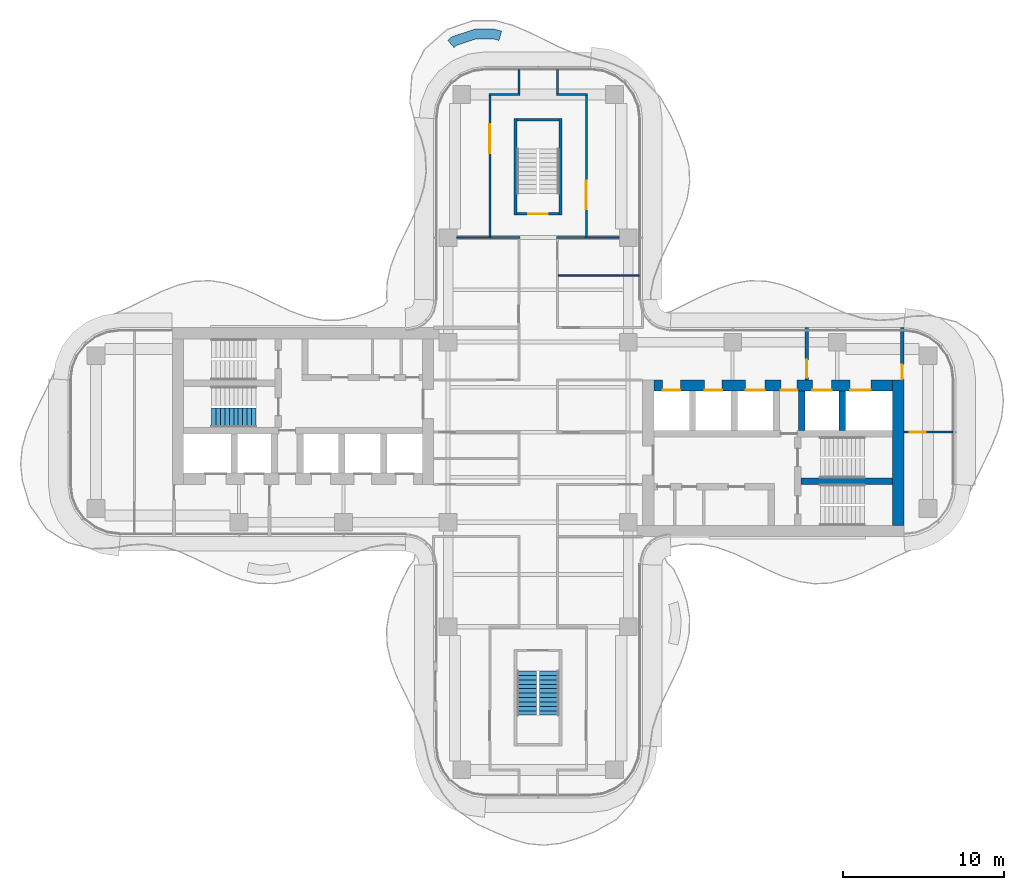
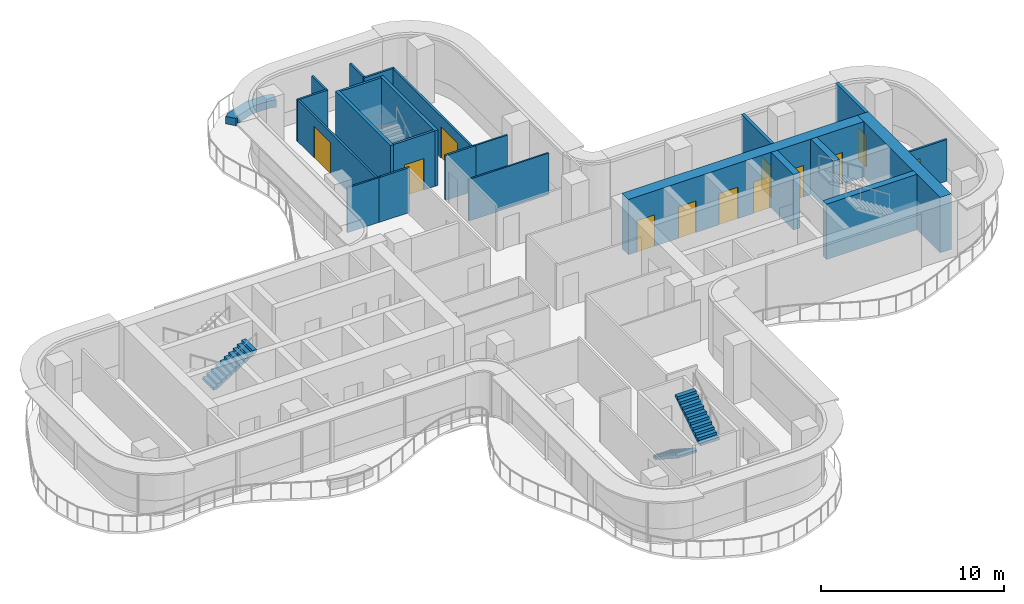
# One storey, part 13 of 16: 24 walls, 12 doors, 3 stair flights, 12 openings, 2 elements without a shape of their own.
"""IFC4 building model written with IfcOpenShell, lengths in metres."""

from ifc_helpers import new_model, si_unit, direction, frame, frame_2d, origin, place, context, subcontext, project, spatial, polyline, rectangle, outline, extrude, source, transform, mapped, material, layer, layer_set, type_object, element, fill, aggregate, save


model = new_model("IFC4")

# Units and contexts
model_context = context("Model", 3, precision=1e-05, world=origin(), true_north=direction((0.0, 1.0)))
body_context = subcontext(model_context, "Body", "Model", "MODEL_VIEW")
ifc_project = project(units=[si_unit("LENGTHUNIT", "METRE"), si_unit("AREAUNIT", "SQUARE_METRE"), si_unit("VOLUMEUNIT", "CUBIC_METRE"), si_unit("PLANEANGLEUNIT", "RADIAN"), si_unit("MASSUNIT", "GRAM", prefix="KILO")], contexts=[model_context])

# Site, building, storey
site_placement = place(None, origin())
site = spatial("IfcSite", under=ifc_project, at=site_placement, CompositionType="ELEMENT")
building_placement = place(site_placement, origin())
building = spatial("IfcBuilding", under=site, at=building_placement, Name="Trellis Farm Tower", CompositionType="ELEMENT")
storey_placement = place(building_placement, frame((0.0, 0.0, 248.0)))
storey = spatial("IfcBuildingStorey", under=building, at=storey_placement, Name="L55", CompositionType="ELEMENT", Elevation=248.0)

# Walls
ifc_material_1 = material(Name="Sandstone faced masonry planter", Category="masonry")
ifc_layer_1 = layer(ifc_material_1, 0.60009765625)
ifc_layer_set_1 = layer_set([ifc_layer_1], Name="PLANTER BED 600")
wall_type_1 = type_object("IfcWallType", Name="PLANTER BED 600", PredefinedType="USERDEFINED", material=ifc_layer_set_1)
placement = place(storey_placement, origin())
element("IfcWall", 1, at=placement, inside=storey, type_object=wall_type_1, Name="PLANTER bed", ObjectType="PLANTER", PredefinedType="USERDEFINED", context=body_context, shape_type="SweptSolid", body=[
    extrude(outline(polyline([(-5.377197265625, 24.581298828125), (-3.939208984375, 25.066650390625), (-2.718505859375, 25.0595703125), (-2.2744140625, 24.939697265625), (-2.430908203125, 24.3603515625), (-2.7998046875, 24.4599609375), (-3.84228515625, 24.466064453125), (-5.073974609375, 24.050537109375), (-5.22900390625, 23.91650390625), (-5.62158203125, 24.3701171875), (-5.377197265625, 24.581298828125)])), origin(), (0.0, 0.0, 1.0), 0.5),
])
ifc_material_2 = material(Name="Concrete C60/75", Category="concrete")
ifc_layer_2 = layer(ifc_material_2, 0.699951171875)
ifc_layer_set_2 = layer_set([ifc_layer_2], Name="CORE OUTER WALL 700 CONCRETE C60/75")
wall_type_2 = type_object("IfcWallType", Name="CORE OUTER WALL 700 CONCRETE C60/75", PredefinedType="SHEAR", material=ifc_layer_set_2)
shared_shape_1 = source(origin(), body_context, "Body", "SweptSolid", [
    extrude(rectangle(XDim=9.050048828125, YDim=0.699951171875, at=frame_2d((4.52490234375, 0.0))), origin(), (0.0, 0.0, 1.0), 3.699951171875),
])
wall_2_placement = place(storey_placement, frame((22.39990234375, -5.800048828125, 0.0), z_axis=(0.0, 0.0, 1.0), x_axis=(0.0, 1.0, 0.0)))
element("IfcWall", 2, at=wall_2_placement, inside=storey, type_object=wall_type_2, Name="Core wall", PredefinedType="SHEAR", context=body_context, shape_type="MappedRepresentation", body=[
    mapped(shared_shape_1, transform((0.0, 0.0, 0.0))),
])
ifc_layer_3 = layer(ifc_material_2, 0.39990234375)
ifc_layer_set_3 = layer_set([ifc_layer_3], Name="CORE INNER WALL 400 CONCRETE C60/75")
wall_type_3 = type_object("IfcWallType", Name="CORE INNER WALL 400 CONCRETE C60/75", PredefinedType="SHEAR", material=ifc_layer_set_3)
shared_shape_2 = source(origin(), body_context, "Body", "SweptSolid", [
    extrude(rectangle(XDim=2.449951171875, YDim=0.39990234375, at=frame_2d((1.22509765625, 0.0))), origin(), (0.0, 0.0, 1.0), 3.699951171875),
])
for number, where, z_axis, x_axis, name in (
    (3, (16.39990234375, 0.10009765625, 0.0), (0.0, 0.0, 1.0), (0.0, 1.0, 0.0), "Core wall"),
    (4, (18.89990234375, 0.10009765625, 0.0), (0.0, 0.0, 1.0), (0.0, 1.0, 0.0), "Core wall"),
):
    element("IfcWall", number, at=place(storey_placement, frame(where, z_axis=z_axis, x_axis=x_axis)), inside=storey, type_object=wall_type_3, Name=name, PredefinedType="SHEAR", context=body_context, shape_type="MappedRepresentation", body=[
        mapped(shared_shape_2, transform((0.0, 0.0, 0.0))),
    ])

# Wall, opening, door
ifc_material_3 = material(Name="Masonry blockwork", Category="masonry")
ifc_layer_4 = layer(ifc_material_3, 0.199951171875)
ifc_layer_set_4 = layer_set([ifc_layer_4], Name="FIRE LOBBY PARTITION 200 BLOCKWORK")
wall_type_4 = type_object("IfcWallType", Name="FIRE LOBBY PARTITION 200 BLOCKWORK", PredefinedType="PARTITIONING", material=ifc_layer_set_4)
shared_shape_3 = source(origin(), body_context, "Body", "SweptSolid", [
    extrude(rectangle(XDim=3.25, YDim=0.199951171875, at=frame_2d((1.625, 0.0))), origin(), (0.0, 0.0, 1.0), 3.699951171875),
])
wall_3_placement = place(storey_placement, frame((16.699951171875, 3.25, 0.0), z_axis=(0.0, 0.0, 1.0), x_axis=(0.0, 1.0, 0.0)))
wall_3 = element("IfcWall", 5, at=wall_3_placement, inside=storey, type_object=wall_type_4, Name="Fire-fighting lobby partition", PredefinedType="PARTITIONING", context=body_context, shape_type="MappedRepresentation", body=[
    mapped(shared_shape_3, transform((0.0, 0.0, 0.0))),
])
shared_shape_4 = source(origin(), body_context, "Body", "SweptSolid", [
    extrude(rectangle(XDim=1.10009765625, YDim=2.10009765625, at=frame_2d((0.550048828125, 1.050048828125))), frame((0.0, 0.110107421875, 0.0), z_axis=(0.0, -1.0, 0.0), x_axis=(1.0, 0.0, 0.0)), (0.0, 0.0, 1.0), 0.22021484375),
])
opening_1_placement = place(wall_3_placement, frame((0.14990234375, 0.0, 0.0)))
opening_1 = element("IfcOpeningElement", 6, at=opening_1_placement, cuts=wall_3, Name="Opening DC7", PredefinedType="OPENING", context=body_context, shape_type="MappedRepresentation", body=[
    mapped(shared_shape_4, transform((0.0, 0.0, 0.0))),
])
ifc_material_4 = material(Name="Steel", Category="steel")
door_type_1 = type_object("IfcDoorType", Name="CORE FIRE DOOR 1100 X 2100", OperationType="NOTDEFINED", PredefinedType="DOOR", material=ifc_material_4)
shared_shape_5 = source(origin(), body_context, "Body", "SweptSolid", [
    extrude(rectangle(XDim=1.10009765625, YDim=2.10009765625, at=frame_2d((0.550048828125, 1.050048828125))), frame((0.0, 0.02490234375, 0.0), z_axis=(0.0, -1.0, 0.0), x_axis=(1.0, 0.0, 0.0)), (0.0, 0.0, 1.0), 0.050048828125),
])
door_1_placement = place(opening_1_placement, origin())
door_1 = element("IfcDoor", 7, at=door_1_placement, inside=storey, type_object=door_type_1, Name="Core door", OperationType="SINGLE_SWING_RIGHT", OverallHeight=2.10009765625, OverallWidth=1.10009765625, PredefinedType="DOOR", context=body_context, shape_type="MappedRepresentation", body=[
    mapped(shared_shape_5, transform((0.0, 0.0, 0.0))),
])
fill(opening_1, door_1)

wall_4_placement = place(storey_placement, frame((22.64990234375, 3.25, 0.0), z_axis=(0.0, 0.0, 1.0), x_axis=(0.0, 1.0, 0.0)))
wall_4 = element("IfcWall", 8, at=wall_4_placement, inside=storey, type_object=wall_type_4, Name="Fire-fighting lobby partition", PredefinedType="PARTITIONING", context=body_context, shape_type="MappedRepresentation", body=[
    mapped(shared_shape_3, transform((0.0, 0.0, 0.0))),
])
shared_shape_6 = source(origin(), body_context, "Body", "SweptSolid", [
    extrude(rectangle(XDim=0.89990234375, YDim=2.10009765625, at=frame_2d((0.449951171875, 1.050048828125))), frame((0.0, 0.110107421875, 0.0), z_axis=(0.0, -1.0, 0.0), x_axis=(1.0, 0.0, 0.0)), (0.0, 0.0, 1.0), 0.22021484375),
])
opening_2_placement = place(wall_4_placement, frame((0.050048828125, 0.0, 0.0)))
opening_2 = element("IfcOpeningElement", 9, at=opening_2_placement, cuts=wall_4, Name="Opening DC8", PredefinedType="OPENING", context=body_context, shape_type="MappedRepresentation", body=[
    mapped(shared_shape_6, transform((0.0, 0.0, 0.0))),
])
door_type_2 = type_object("IfcDoorType", Name="CORE FIRE DOOR 900 X 2100", OperationType="NOTDEFINED", PredefinedType="DOOR", material=ifc_material_4)
shared_shape_7 = source(origin(), body_context, "Body", "SweptSolid", [
    extrude(rectangle(XDim=0.89990234375, YDim=2.10009765625, at=frame_2d((0.449951171875, 1.050048828125))), frame((0.0, 0.02490234375, 0.0), z_axis=(0.0, -1.0, 0.0), x_axis=(1.0, 0.0, 0.0)), (0.0, 0.0, 1.0), 0.050048828125),
])
door_2_placement = place(opening_2_placement, origin())
door_2 = element("IfcDoor", 10, at=door_2_placement, inside=storey, type_object=door_type_2, Name="Core door", OperationType="SINGLE_SWING_RIGHT", OverallHeight=2.10009765625, OverallWidth=0.89990234375, PredefinedType="DOOR", context=body_context, shape_type="MappedRepresentation", body=[
    mapped(shared_shape_7, transform((0.0, 0.0, 0.0))),
])
fill(opening_2, door_2)

# Wall, openings, doors
shared_shape_8 = source(origin(), body_context, "Body", "SweptSolid", [
    extrude(rectangle(XDim=14.85009765625, YDim=0.699951171875, at=frame_2d((7.425048828125, 0.0))), origin(), (0.0, 0.0, 1.0), 3.699951171875),
])
wall_5_placement = place(storey_placement, frame((7.199951171875, 2.89990234375, 0.0), z_axis=(0.0, 0.0, 1.0), x_axis=(1.0, 0.0, 0.0)))
wall_5 = element("IfcWall", 11, at=wall_5_placement, inside=storey, type_object=wall_type_2, Name="Core wall", PredefinedType="SHEAR", context=body_context, shape_type="MappedRepresentation", body=[
    mapped(shared_shape_8, transform((0.0, 0.0, 0.0))),
])
shared_shape_9 = source(origin(), body_context, "Body", "SweptSolid", [
    extrude(rectangle(XDim=1.10009765625, YDim=2.10009765625, at=frame_2d((0.550048828125, 1.050048828125))), frame((0.0, 0.360107421875, 0.0), z_axis=(0.0, -1.0, 0.0), x_axis=(1.0, 0.0, 0.0)), (0.0, 0.0, 1.0), 0.72021484375),
])
opening_3_placement = place(wall_5_placement, frame((0.550048828125, 0.0, 0.0)))
opening_3 = element("IfcOpeningElement", 12, at=opening_3_placement, cuts=wall_5, Name="Opening LD4", PredefinedType="OPENING", context=body_context, shape_type="MappedRepresentation", body=[
    mapped(shared_shape_9, transform((0.0, 0.0, 0.0))),
])
opening_4_placement = place(wall_5_placement, frame((3.14990234375, 0.0, 0.0)))
opening_4 = element("IfcOpeningElement", 13, at=opening_4_placement, cuts=wall_5, Name="Opening LD5", PredefinedType="OPENING", context=body_context, shape_type="MappedRepresentation", body=[
    mapped(shared_shape_9, transform((0.0, 0.0, 0.0))),
])
shared_shape_10 = source(origin(), body_context, "Body", "SweptSolid", [
    extrude(rectangle(XDim=1.199951171875, YDim=2.10009765625, at=frame_2d((0.60009765625, 1.050048828125))), frame((0.0, 0.360107421875, 0.0), z_axis=(0.0, -1.0, 0.0), x_axis=(1.0, 0.0, 0.0)), (0.0, 0.0, 1.0), 0.72021484375),
])
opening_5_placement = place(wall_5_placement, frame((5.699951171875, 0.0, 0.0)))
opening_5 = element("IfcOpeningElement", 14, at=opening_5_placement, cuts=wall_5, Name="Opening LD6", PredefinedType="OPENING", context=body_context, shape_type="MappedRepresentation", body=[
    mapped(shared_shape_10, transform((0.0, 0.0, 0.0))),
])
shared_shape_11 = source(origin(), body_context, "Body", "SweptSolid", [
    extrude(rectangle(XDim=1.300048828125, YDim=2.10009765625, at=frame_2d((0.64990234375, 1.050048828125))), frame((0.0, 0.360107421875, 0.0), z_axis=(0.0, -1.0, 0.0), x_axis=(1.0, 0.0, 0.0)), (0.0, 0.0, 1.0), 0.72021484375),
])
opening_6_placement = place(wall_5_placement, frame((12.199951171875, 0.0, 0.0)))
opening_6 = element("IfcOpeningElement", 15, at=opening_6_placement, cuts=wall_5, Name="Opening LD7", PredefinedType="OPENING", context=body_context, shape_type="MappedRepresentation", body=[
    mapped(shared_shape_11, transform((0.0, 0.0, 0.0))),
])
opening_7_placement = place(wall_5_placement, frame((9.85009765625, 0.0, 0.0)))
opening_7 = element("IfcOpeningElement", 16, at=opening_7_placement, cuts=wall_5, Name="Opening LD8", PredefinedType="OPENING", context=body_context, shape_type="MappedRepresentation", body=[
    mapped(shared_shape_10, transform((0.0, 0.0, 0.0))),
])
shared_shape_12 = source(origin(), body_context, "Body", "SweptSolid", [
    extrude(rectangle(XDim=1.0, YDim=2.10009765625, at=frame_2d((0.5, 1.050048828125))), frame((0.0, 0.360107421875, 0.0), z_axis=(0.0, -1.0, 0.0), x_axis=(1.0, 0.0, 0.0)), (0.0, 0.0, 1.0), 0.72021484375),
])
opening_8_placement = place(wall_5_placement, frame((7.89990234375, 0.0, 0.0)))
opening_8 = element("IfcOpeningElement", 17, at=opening_8_placement, cuts=wall_5, Name="Opening DC6", PredefinedType="OPENING", context=body_context, shape_type="MappedRepresentation", body=[
    mapped(shared_shape_12, transform((0.0, 0.0, 0.0))),
])
door_type_3 = type_object("IfcDoorType", Name="CORE FIRE DOOR 1000 X 2100", OperationType="NOTDEFINED", PredefinedType="DOOR", material=ifc_material_4)
shared_shape_13 = source(origin(), body_context, "Body", "SweptSolid", [
    extrude(rectangle(XDim=1.0, YDim=2.10009765625, at=frame_2d((0.5, 1.050048828125))), frame((0.0, -0.27490234375, 0.0), z_axis=(0.0, -1.0, 0.0), x_axis=(1.0, 0.0, 0.0)), (0.0, 0.0, 1.0), 0.050048828125),
])
door_3_placement = place(opening_8_placement, origin())
door_3 = element("IfcDoor", 18, at=door_3_placement, inside=storey, type_object=door_type_3, Name="Core door", OperationType="SINGLE_SWING_LEFT", OverallHeight=2.10009765625, OverallWidth=1.0, PredefinedType="DOOR", context=body_context, shape_type="MappedRepresentation", body=[
    mapped(shared_shape_13, transform((0.0, 0.0, 0.0))),
])
fill(opening_8, door_3)
ifc_material_5 = material(Name="Stainless steel", Category="steel")
door_type_4 = type_object("IfcDoorType", Name="LIFT LANDING DOOR 1300 X 2100", OperationType="DOUBLE_DOOR_SLIDING", PredefinedType="DOOR", material=ifc_material_5)
shared_shape_14 = source(origin(), body_context, "Body", "SweptSolid", [
    extrude(rectangle(XDim=1.300048828125, YDim=2.10009765625, at=frame_2d((0.64990234375, 1.050048828125))), frame((0.0, -0.27490234375, 0.0), z_axis=(0.0, -1.0, 0.0), x_axis=(1.0, 0.0, 0.0)), (0.0, 0.0, 1.0), 0.050048828125),
])
door_4_placement = place(opening_6_placement, origin())
door_4 = element("IfcDoor", 19, at=door_4_placement, inside=storey, type_object=door_type_4, Name="Lift landing door", OperationType="DOUBLE_DOOR_SLIDING", OverallHeight=2.10009765625, OverallWidth=1.300048828125, PredefinedType="DOOR", context=body_context, shape_type="MappedRepresentation", body=[
    mapped(shared_shape_14, transform((0.0, 0.0, 0.0))),
])
fill(opening_6, door_4)
door_type_5 = type_object("IfcDoorType", Name="LIFT LANDING DOOR 1200 X 2100", OperationType="DOUBLE_DOOR_SLIDING", PredefinedType="DOOR", material=ifc_material_5)
shared_shape_15 = source(origin(), body_context, "Body", "SweptSolid", [
    extrude(rectangle(XDim=1.199951171875, YDim=2.10009765625, at=frame_2d((0.60009765625, 1.050048828125))), frame((0.0, -0.27490234375, 0.0), z_axis=(0.0, -1.0, 0.0), x_axis=(1.0, 0.0, 0.0)), (0.0, 0.0, 1.0), 0.050048828125),
])
door_5_placement = place(opening_5_placement, origin())
door_5 = element("IfcDoor", 20, at=door_5_placement, inside=storey, type_object=door_type_5, Name="Lift landing door", OperationType="DOUBLE_DOOR_SLIDING", OverallHeight=2.10009765625, OverallWidth=1.199951171875, PredefinedType="DOOR", context=body_context, shape_type="MappedRepresentation", body=[
    mapped(shared_shape_15, transform((0.0, 0.0, 0.0))),
])
fill(opening_5, door_5)
door_6_placement = place(opening_7_placement, origin())
door_6 = element("IfcDoor", 21, at=door_6_placement, inside=storey, type_object=door_type_5, Name="Lift landing door", OperationType="DOUBLE_DOOR_SLIDING", OverallHeight=2.10009765625, OverallWidth=1.199951171875, PredefinedType="DOOR", context=body_context, shape_type="MappedRepresentation", body=[
    mapped(shared_shape_15, transform((0.0, 0.0, 0.0))),
])
fill(opening_7, door_6)
door_type_6 = type_object("IfcDoorType", Name="LIFT LANDING DOOR 1100 X 2100", OperationType="DOUBLE_DOOR_SLIDING", PredefinedType="DOOR", material=ifc_material_5)
shared_shape_16 = source(origin(), body_context, "Body", "SweptSolid", [
    extrude(rectangle(XDim=1.10009765625, YDim=2.10009765625, at=frame_2d((0.550048828125, 1.050048828125))), frame((0.0, -0.27490234375, 0.0), z_axis=(0.0, -1.0, 0.0), x_axis=(1.0, 0.0, 0.0)), (0.0, 0.0, 1.0), 0.050048828125),
])
door_7_placement = place(opening_3_placement, origin())
door_7 = element("IfcDoor", 22, at=door_7_placement, inside=storey, type_object=door_type_6, Name="Lift landing door", OperationType="DOUBLE_DOOR_SLIDING", OverallHeight=2.10009765625, OverallWidth=1.10009765625, PredefinedType="DOOR", context=body_context, shape_type="MappedRepresentation", body=[
    mapped(shared_shape_16, transform((0.0, 0.0, 0.0))),
])
fill(opening_3, door_7)
door_8_placement = place(opening_4_placement, origin())
door_8 = element("IfcDoor", 23, at=door_8_placement, inside=storey, type_object=door_type_6, Name="Lift landing door", OperationType="DOUBLE_DOOR_SLIDING", OverallHeight=2.10009765625, OverallWidth=1.10009765625, PredefinedType="DOOR", context=body_context, shape_type="MappedRepresentation", body=[
    mapped(shared_shape_16, transform((0.0, 0.0, 0.0))),
])
fill(opening_4, door_8)

# Walls
shared_shape_17 = source(origin(), body_context, "Body", "SweptSolid", [
    extrude(rectangle(XDim=5.699951171875, YDim=0.39990234375, at=frame_2d((2.85009765625, 0.0))), origin(), (0.0, 0.0, 1.0), 3.699951171875),
])
wall_6_placement = place(storey_placement, frame((16.35009765625, -3.050048828125, 0.0), z_axis=(0.0, 0.0, 1.0), x_axis=(1.0, 0.0, 0.0)))
element("IfcWall", 24, at=wall_6_placement, inside=storey, type_object=wall_type_3, Name="Core wall", PredefinedType="SHEAR", context=body_context, shape_type="MappedRepresentation", body=[
    mapped(shared_shape_17, transform((0.0, 0.0, 0.0))),
])
ifc_layer_5 = layer(ifc_material_2, 0.199951171875)
ifc_layer_set_5 = layer_set([ifc_layer_5], Name="CORE STAIR ENCLOSURE WALL 200 CONCRETE C60/75")
wall_type_5 = type_object("IfcWallType", Name="CORE STAIR ENCLOSURE WALL 200 CONCRETE C60/75", PredefinedType="SHEAR", material=ifc_layer_set_5)
shared_shape_18 = source(origin(), body_context, "Body", "SweptSolid", [
    extrude(rectangle(XDim=6.0, YDim=0.199951171875, at=frame_2d((3.0, 0.0))), origin(), (0.0, 0.0, 1.0), 3.699951171875),
])
for number, where, z_axis, x_axis, name in (
    (25, (-1.39990234375, 13.5, 0.0), (0.0, 0.0, 1.0), (0.0, 1.0, 0.0), "Stair enclosure wall"),
    (26, (1.39990234375, 13.5, 0.0), (0.0, 0.0, 1.0), (0.0, 1.0, 0.0), "Stair enclosure wall"),
):
    element("IfcWall", number, at=place(storey_placement, frame(where, z_axis=z_axis, x_axis=x_axis)), inside=storey, type_object=wall_type_5, Name=name, PredefinedType="SHEAR", context=body_context, shape_type="MappedRepresentation", body=[
        mapped(shared_shape_18, transform((0.0, 0.0, 0.0))),
    ])

# Wall, opening, door
ifc_layer_6 = layer(ifc_material_2, 0.14990234375)
ifc_layer_set_6 = layer_set([ifc_layer_6], Name="CORE STAIR ENCLOSURE WALL 150 CONCRETE C60/75")
wall_type_6 = type_object("IfcWallType", Name="CORE STAIR ENCLOSURE WALL 150 CONCRETE C60/75", PredefinedType="SHEAR", material=ifc_layer_set_6)
shared_shape_19 = source(origin(), body_context, "Body", "SweptSolid", [
    extrude(rectangle(XDim=2.60009765625, YDim=0.14990234375, at=frame_2d((1.300048828125, 0.0))), origin(), (0.0, 0.0, 1.0), 3.699951171875),
])
wall_7_placement = place(storey_placement, frame((-1.300048828125, 13.574951171875, 0.0), z_axis=(0.0, 0.0, 1.0), x_axis=(1.0, 0.0, 0.0)))
wall_7 = element("IfcWall", 27, at=wall_7_placement, inside=storey, type_object=wall_type_6, Name="Stair enclosure wall", PredefinedType="SHEAR", context=body_context, shape_type="MappedRepresentation", body=[
    mapped(shared_shape_19, transform((0.0, 0.0, 0.0))),
])
shared_shape_20 = source(origin(), body_context, "Body", "SweptSolid", [
    extrude(rectangle(XDim=1.199951171875, YDim=2.10009765625, at=frame_2d((0.60009765625, 1.050048828125))), frame((0.0, 0.0849609375, 0.0), z_axis=(0.0, -1.0, 0.0), x_axis=(1.0, 0.0, 0.0)), (0.0, 0.0, 1.0), 0.169921875),
])
opening_9_placement = place(wall_7_placement, frame((0.699951171875, 0.0, 0.0)))
opening_9 = element("IfcOpeningElement", 28, at=opening_9_placement, cuts=wall_7, Name="Opening DC173", PredefinedType="OPENING", context=body_context, shape_type="MappedRepresentation", body=[
    mapped(shared_shape_20, transform((0.0, 0.0, 0.0))),
])
door_type_7 = type_object("IfcDoorType", Name="CORE FIRE DOOR 1200 X 2100", OperationType="NOTDEFINED", PredefinedType="DOOR", material=ifc_material_4)
shared_shape_21 = source(origin(), body_context, "Body", "SweptSolid", [
    extrude(rectangle(XDim=1.199951171875, YDim=2.10009765625, at=frame_2d((0.60009765625, 1.050048828125))), frame((0.0, 0.02490234375, 0.0), z_axis=(0.0, -1.0, 0.0), x_axis=(1.0, 0.0, 0.0)), (0.0, 0.0, 1.0), 0.050048828125),
])
door_9_placement = place(opening_9_placement, origin())
door_9 = element("IfcDoor", 29, at=door_9_placement, inside=storey, type_object=door_type_7, Name="Core door", OperationType="SINGLE_SWING_LEFT", OverallHeight=2.10009765625, OverallWidth=1.199951171875, PredefinedType="DOOR", context=body_context, shape_type="MappedRepresentation", body=[
    mapped(shared_shape_21, transform((0.0, 0.0, 0.0))),
])
fill(opening_9, door_9)

# Walls
wall_8_placement = place(storey_placement, frame((-1.300048828125, 19.425048828125, 0.0), z_axis=(0.0, 0.0, 1.0), x_axis=(1.0, 0.0, 0.0)))
element("IfcWall", 30, at=wall_8_placement, inside=storey, type_object=wall_type_6, Name="Stair enclosure wall", PredefinedType="SHEAR", context=body_context, shape_type="MappedRepresentation", body=[
    mapped(shared_shape_19, transform((0.0, 0.0, 0.0))),
])
ifc_material_6 = material(Name="Plasterboard on steel studs, mineral wool", Category="steel")
ifc_layer_7 = layer(ifc_material_6, 0.125)
ifc_layer_set_7 = layer_set([ifc_layer_7], Name="PARTITION 125 STUD EI 60")
wall_type_7 = type_object("IfcWallType", Name="PARTITION 125 STUD EI 60", PredefinedType="PARTITIONING", material=ifc_layer_set_7)
shared_shape_22 = source(origin(), body_context, "Body", "SweptSolid", [
    extrude(rectangle(XDim=1.925048828125, YDim=0.125, at=frame_2d((0.96240234375, 0.0))), origin(), (0.0, 0.0, 1.0), 2.99658203125),
])
for number, where, z_axis, x_axis, name in (
    (31, (-1.137451171875, 12.10009765625, 0.0), (0.0, 0.0, 1.0), (-1.0, 0.0, 0.0), "Partition PW1"),
    (32, (3.0625, 12.10009765625, 0.0), (0.0, 0.0, 1.0), (-1.0, 0.0, 0.0), "Partition PW1"),
):
    element("IfcWall", number, at=place(storey_placement, frame(where, z_axis=z_axis, x_axis=x_axis)), inside=storey, type_object=wall_type_7, Name=name, PredefinedType="PARTITIONING", context=body_context, shape_type="MappedRepresentation", body=[
        mapped(shared_shape_22, transform((0.0, 0.0, 0.0))),
    ])
ifc_material_7 = material(Name="Plasterboard on steel studs", Category="steel")
ifc_layer_8 = layer(ifc_material_7, 0.10009765625)
ifc_layer_set_8 = layer_set([ifc_layer_8], Name="PARTITION 100 STUD EI 30")
wall_type_8 = type_object("IfcWallType", Name="PARTITION 100 STUD EI 30", PredefinedType="PARTITIONING", material=ifc_layer_set_8)
shared_shape_23 = source(origin(), body_context, "Body", "SweptSolid", [
    extrude(rectangle(XDim=5.03759765625, YDim=0.10009765625, at=frame_2d((2.518798828125, 0.0))), origin(), (0.0, 0.0, 1.0), 2.780029296875),
])
wall_9_placement = place(storey_placement, frame((1.262451171875, 9.75, 0.0), z_axis=(0.0, 0.0, 1.0), x_axis=(1.0, 0.0, 0.0)))
element("IfcWall", 33, at=wall_9_placement, inside=storey, type_object=wall_type_8, Name="Partition PW2", PredefinedType="PARTITIONING", context=body_context, shape_type="MappedRepresentation", body=[
    mapped(shared_shape_23, transform((0.0, 0.0, 0.0))),
])
shared_shape_24 = source(origin(), body_context, "Body", "SweptSolid", [
    extrude(rectangle(XDim=1.487548828125, YDim=0.125, at=frame_2d((0.74365234375, 0.0))), origin(), (0.0, 0.0, 1.0), 2.780029296875),
])
for number, where, z_axis, x_axis, name in (
    (34, (-1.199951171875, 22.550048828125, 0.0), (0.0, 0.0, 1.0), (0.0, -1.0, 0.0), "Partition PW1"),
    (35, (1.199951171875, 22.550048828125, 0.0), (0.0, 0.0, 1.0), (0.0, -1.0, 0.0), "Partition PW1"),
):
    element("IfcWall", number, at=place(storey_placement, frame(where, z_axis=z_axis, x_axis=x_axis)), inside=storey, type_object=wall_type_7, Name=name, PredefinedType="PARTITIONING", context=body_context, shape_type="MappedRepresentation", body=[
        mapped(shared_shape_24, transform((0.0, 0.0, 0.0))),
    ])
shared_shape_25 = source(origin(), body_context, "Body", "SweptSolid", [
    extrude(rectangle(XDim=1.925048828125, YDim=0.125, at=frame_2d((0.96240234375, 0.0))), origin(), (0.0, 0.0, 1.0), 2.780029296875),
])
for number, where, z_axis, x_axis, name in (
    (36, (-3.0625, 21.0, 0.0), (0.0, 0.0, 1.0), (1.0, 0.0, 0.0), "Partition PW1"),
    (37, (1.137451171875, 21.0, 0.0), (0.0, 0.0, 1.0), (1.0, 0.0, 0.0), "Partition PW1"),
):
    element("IfcWall", number, at=place(storey_placement, frame(where, z_axis=z_axis, x_axis=x_axis)), inside=storey, type_object=wall_type_7, Name=name, PredefinedType="PARTITIONING", context=body_context, shape_type="MappedRepresentation", body=[
        mapped(shared_shape_25, transform((0.0, 0.0, 0.0))),
    ])

# Wall, opening, door
shared_shape_26 = source(origin(), body_context, "Body", "SweptSolid", [
    extrude(rectangle(XDim=8.78759765625, YDim=0.125, at=frame_2d((4.393798828125, 0.0))), origin(), (0.0, 0.0, 1.0), 2.780029296875),
])
wall_10_placement = place(storey_placement, frame((-3.0, 12.14990234375, 0.0), z_axis=(0.0, 0.0, 1.0), x_axis=(0.0, 1.0, 0.0)))
wall_10 = element("IfcWall", 38, at=wall_10_placement, inside=storey, type_object=wall_type_7, Name="Partition PW1", PredefinedType="PARTITIONING", context=body_context, shape_type="MappedRepresentation", body=[
    mapped(shared_shape_26, transform((0.0, 0.0, 0.0))),
])
shared_shape_27 = source(origin(), body_context, "Body", "SweptSolid", [
    extrude(rectangle(XDim=1.800048828125, YDim=2.10009765625, at=frame_2d((0.89990234375, 1.050048828125))), frame((0.0, 0.072509765625, 0.0), z_axis=(0.0, -1.0, 0.0), x_axis=(1.0, 0.0, 0.0)), (0.0, 0.0, 1.0), 0.14501953125),
])
opening_10_placement = place(wall_10_placement, frame((5.199951171875, 0.0, 0.0)))
opening_10 = element("IfcOpeningElement", 39, at=opening_10_placement, cuts=wall_10, Name="Opening D205", PredefinedType="OPENING", context=body_context, shape_type="MappedRepresentation", body=[
    mapped(shared_shape_27, transform((0.0, 0.0, 0.0))),
])
ifc_material_8 = material(Name="Fire-rated timber door leaf in a hollow metal frame", Category="wood")
door_type_8 = type_object("IfcDoorType", Name="DOOR PAIR 1800x2100 FD30S", OperationType="NOTDEFINED", PredefinedType="DOOR", material=ifc_material_8)
shared_shape_28 = source(origin(), body_context, "Body", "SweptSolid", [
    extrude(rectangle(XDim=1.800048828125, YDim=2.10009765625, at=frame_2d((0.89990234375, 1.050048828125))), frame((0.0, 0.02490234375, 0.0), z_axis=(0.0, -1.0, 0.0), x_axis=(1.0, 0.0, 0.0)), (0.0, 0.0, 1.0), 0.050048828125),
])
door_10_placement = place(opening_10_placement, origin())
door_10 = element("IfcDoor", 40, at=door_10_placement, inside=storey, type_object=door_type_8, Name="Door D205", OperationType="DOUBLE_DOOR_SINGLE_SWING", OverallHeight=2.10009765625, OverallWidth=1.800048828125, PredefinedType="DOOR", context=body_context, shape_type="MappedRepresentation", body=[
    mapped(shared_shape_28, transform((0.0, 0.0, 0.0))),
])
fill(opening_10, door_10)

wall_11_placement = place(storey_placement, frame((3.0, 20.9375, 0.0), z_axis=(0.0, 0.0, 1.0), x_axis=(0.0, -1.0, 0.0)))
wall_11 = element("IfcWall", 41, at=wall_11_placement, inside=storey, type_object=wall_type_7, Name="Partition PW1", PredefinedType="PARTITIONING", context=body_context, shape_type="MappedRepresentation", body=[
    mapped(shared_shape_26, transform((0.0, 0.0, 0.0))),
])
opening_11_placement = place(wall_11_placement, frame((5.28759765625, 0.0, 0.0)))
opening_11 = element("IfcOpeningElement", 42, at=opening_11_placement, cuts=wall_11, Name="Opening D204", PredefinedType="OPENING", context=body_context, shape_type="MappedRepresentation", body=[
    mapped(shared_shape_27, transform((0.0, 0.0, 0.0))),
])
door_11_placement = place(opening_11_placement, origin())
door_11 = element("IfcDoor", 43, at=door_11_placement, inside=storey, type_object=door_type_8, Name="Door D204", OperationType="DOUBLE_DOOR_SINGLE_SWING", OverallHeight=2.10009765625, OverallWidth=1.800048828125, PredefinedType="DOOR", context=body_context, shape_type="MappedRepresentation", body=[
    mapped(shared_shape_28, transform((0.0, 0.0, 0.0))),
])
fill(opening_11, door_11)

# Walls
shared_shape_29 = source(origin(), body_context, "Body", "SweptSolid", [
    extrude(rectangle(XDim=2.112548828125, YDim=0.10009765625, at=frame_2d((1.05615234375, 0.0))), origin(), (0.0, 0.0, 1.0), 2.99658203125),
])
for number, where, z_axis, x_axis, name in (
    (44, (-5.050048828125, 12.10009765625, 0.0), (0.0, 0.0, 1.0), (1.0, 0.0, 0.0), "Partition PW2"),
    (45, (2.9375, 12.10009765625, 0.0), (0.0, 0.0, 1.0), (1.0, 0.0, 0.0), "Partition PW2"),
):
    element("IfcWall", number, at=place(storey_placement, frame(where, z_axis=z_axis, x_axis=x_axis)), inside=storey, type_object=wall_type_8, Name=name, PredefinedType="PARTITIONING", context=body_context, shape_type="MappedRepresentation", body=[
        mapped(shared_shape_29, transform((0.0, 0.0, 0.0))),
    ])

# Wall, opening, door
shared_shape_30 = source(origin(), body_context, "Body", "SweptSolid", [
    extrude(rectangle(XDim=3.050048828125, YDim=0.125, at=frame_2d((1.52490234375, 0.0))), origin(), (0.0, 0.0, 1.0), 2.780029296875),
])
wall_12_placement = place(storey_placement, frame((25.800048828125, 0.0, 0.0), z_axis=(0.0, 0.0, 1.0), x_axis=(-1.0, 0.0, 0.0)))
wall_12 = element("IfcWall", 46, at=wall_12_placement, inside=storey, type_object=wall_type_7, Name="Partition PW1", PredefinedType="PARTITIONING", context=body_context, shape_type="MappedRepresentation", body=[
    mapped(shared_shape_30, transform((0.0, 0.0, 0.0))),
])
shared_shape_31 = source(origin(), body_context, "Body", "SweptSolid", [
    extrude(rectangle(XDim=1.0, YDim=2.10009765625, at=frame_2d((0.5, 1.050048828125))), frame((0.0, 0.072509765625, 0.0), z_axis=(0.0, -1.0, 0.0), x_axis=(1.0, 0.0, 0.0)), (0.0, 0.0, 1.0), 0.14501953125),
])
opening_12_placement = place(wall_12_placement, frame((1.699951171875, 0.0, 0.0)))
opening_12 = element("IfcOpeningElement", 47, at=opening_12_placement, cuts=wall_12, Name="Opening D104", PredefinedType="OPENING", context=body_context, shape_type="MappedRepresentation", body=[
    mapped(shared_shape_31, transform((0.0, 0.0, 0.0))),
])
door_type_9 = type_object("IfcDoorType", Name="DOOR 1000x2100 FD30S", OperationType="NOTDEFINED", PredefinedType="DOOR", material=ifc_material_8)
shared_shape_32 = source(origin(), body_context, "Body", "SweptSolid", [
    extrude(rectangle(XDim=1.0, YDim=2.10009765625, at=frame_2d((0.5, 1.050048828125))), frame((0.0, 0.02490234375, 0.0), z_axis=(0.0, -1.0, 0.0), x_axis=(1.0, 0.0, 0.0)), (0.0, 0.0, 1.0), 0.050048828125),
])
door_12_placement = place(opening_12_placement, origin())
door_12 = element("IfcDoor", 48, at=door_12_placement, inside=storey, type_object=door_type_9, Name="Door D104", OperationType="SINGLE_SWING_RIGHT", OverallHeight=2.10009765625, OverallWidth=1.0, PredefinedType="DOOR", context=body_context, shape_type="MappedRepresentation", body=[
    mapped(shared_shape_32, transform((0.0, 0.0, 0.0))),
])
fill(opening_12, door_12)

# Stair, stair flights
ifc_material_9 = material(Name="Concrete C50/60", Category="concrete")
stair_type = type_object("IfcStairType", Name="CORE EXIT STAIR 22 RISERS 177 MM", PredefinedType="HALF_TURN_STAIR", material=ifc_material_9)
stair_1 = element("IfcStair", 49, at=placement, inside=storey, type_object=stair_type, Name="Exit stair S", PredefinedType="HALF_TURN_STAIR")
stair_flight_type = type_object("IfcStairFlightType", Name="STAIR FLIGHT 11 RISERS 177 MM", PredefinedType="STRAIGHT", material=ifc_material_9)
shared_shape_33 = source(origin(), body_context, "Body", "SweptSolid", [
    extrude(outline(polyline([(0.0, 0.0), (0.0, 0.17724609375), (0.27490234375, 0.17724609375), (0.27490234375, 0.3544921875), (0.550048828125, 0.3544921875), (0.550048828125, 0.53173828125), (0.824951171875, 0.53173828125), (0.824951171875, 0.708984375), (1.10009765625, 0.708984375), (1.10009765625, 0.886474609375), (1.375, 0.886474609375), (1.375, 1.063720703125), (1.64990234375, 1.063720703125), (1.64990234375, 1.240966796875), (1.925048828125, 1.240966796875), (1.925048828125, 1.418212890625), (2.199951171875, 1.418212890625), (2.199951171875, 1.595458984375), (2.47509765625, 1.595458984375), (2.47509765625, 1.772705078125), (2.75, 1.772705078125), (2.75, 1.949951171875), (2.75, 1.6181640625), (0.23974609375, 0.0), (0.0, 0.0)])), frame((0.0, 0.60009765625, 0.0), z_axis=(0.0, -1.0, 0.0), x_axis=(1.0, 0.0, 0.0)), (0.0, 0.0, 1.0), 1.199951171875),
])
stair_flight_1_placement = place(storey_placement, frame((-0.699951171875, -14.85009765625, 0.0), z_axis=(0.0, 0.0, 1.0), x_axis=(0.0, -1.0, 0.0)))
stair_flight_1 = element("IfcStairFlight", 50, at=stair_flight_1_placement, type_object=stair_flight_type, Name="STS flight 1", NumberOfRisers=11, NumberOfTreads=10, PredefinedType="STRAIGHT", RiserHeight=0.177272727, TreadLength=0.275, context=body_context, shape_type="MappedRepresentation", body=[
    mapped(shared_shape_33, transform((0.0, 0.0, 0.0))),
])
stair_flight_2_placement = place(storey_placement, frame((0.699951171875, -17.60009765625, 1.949951171875), z_axis=(0.0, 0.0, 1.0), x_axis=(0.0, 1.0, 0.0)))
stair_flight_2 = element("IfcStairFlight", 51, at=stair_flight_2_placement, type_object=stair_flight_type, Name="STS flight 2", NumberOfRisers=11, NumberOfTreads=10, PredefinedType="STRAIGHT", RiserHeight=0.177272727, TreadLength=0.275, context=body_context, shape_type="MappedRepresentation", body=[
    mapped(shared_shape_33, transform((0.0, 0.0, 0.0))),
])
aggregate(stair_1, [stair_flight_1, stair_flight_2])

# Stair, stair flight
stair_2 = element("IfcStair", 52, at=placement, inside=storey, type_object=stair_type, Name="Exit stair W2", PredefinedType="HALF_TURN_STAIR")
stair_flight_3_placement = place(storey_placement, frame((-20.300048828125, 0.89990234375, 1.949951171875), z_axis=(0.0, 0.0, 1.0), x_axis=(1.0, 0.0, 0.0)))
stair_flight_3 = element("IfcStairFlight", 53, at=stair_flight_3_placement, type_object=stair_flight_type, Name="STW2 flight 2", NumberOfRisers=11, NumberOfTreads=10, PredefinedType="STRAIGHT", RiserHeight=0.177272727, TreadLength=0.275, context=body_context, shape_type="MappedRepresentation", body=[
    mapped(shared_shape_33, transform((0.0, 0.0, 0.0))),
])
aggregate(stair_2, [stair_flight_3])

save(model, "model.ifc")
